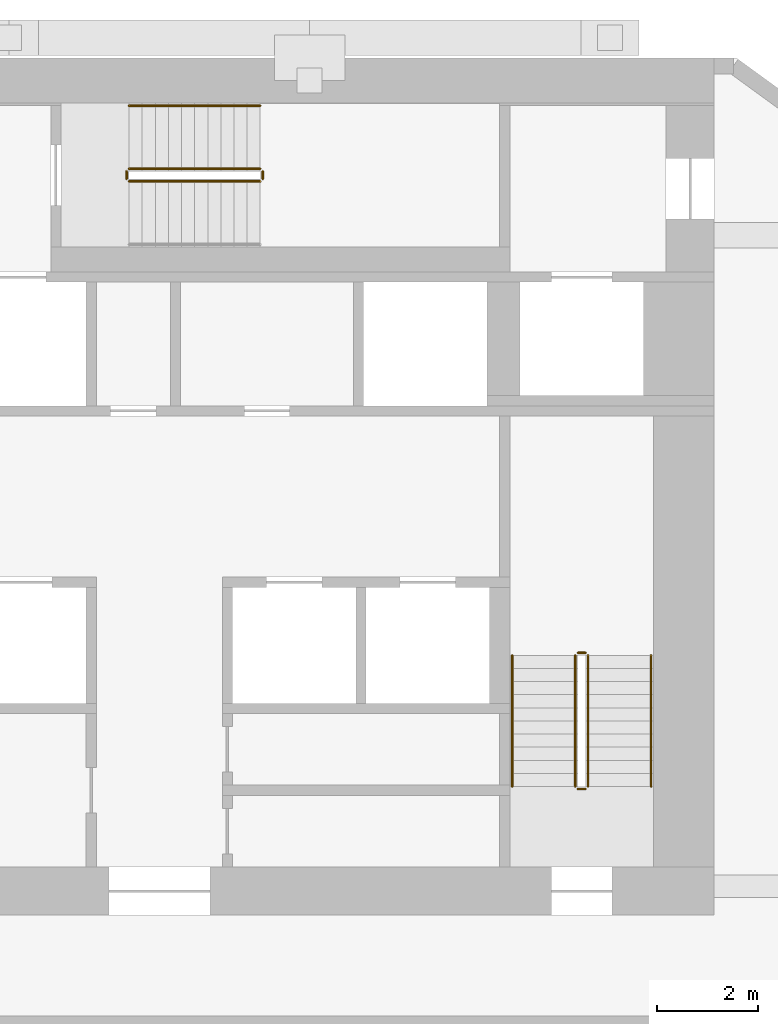
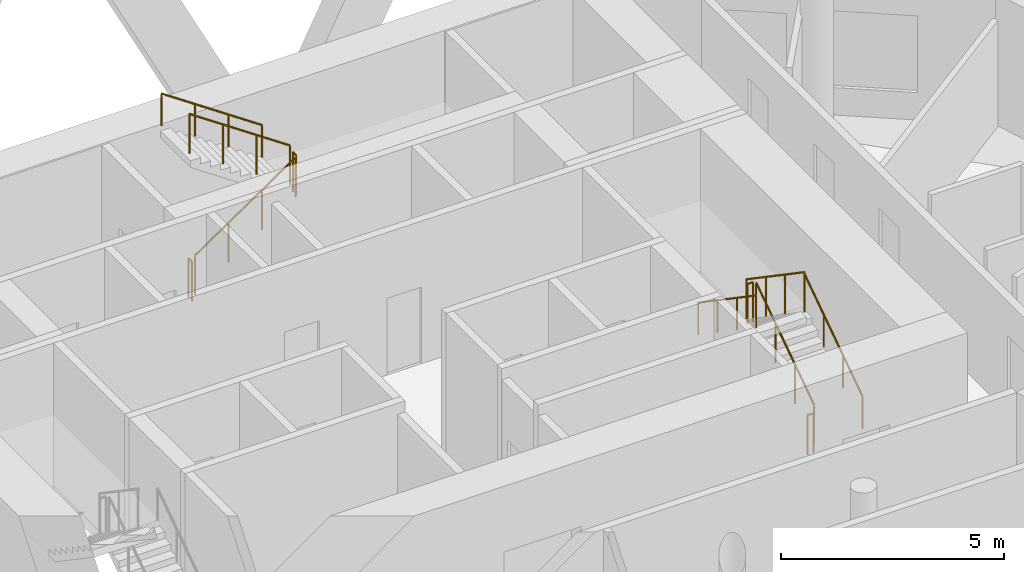
# One storey, part 10 of 10: 11 railings.
"""IFC4 building model written with IfcOpenShell, lengths in metres."""

from ifc_helpers import new_model, si_unit, direction, frame, origin, origin_2d, place, context, subcontext, project, spatial, circle, extrude, material, type_object, element, save


model = new_model("IFC4")

# Units and contexts
model_context = context("Model", 3, precision=1e-05, world=origin(), true_north=direction((0.0, 1.0)))
body_context = subcontext(model_context, "Body", "Model", "MODEL_VIEW")
ifc_project = project(units=[si_unit("LENGTHUNIT", "METRE"), si_unit("AREAUNIT", "SQUARE_METRE"), si_unit("VOLUMEUNIT", "CUBIC_METRE"), si_unit("PLANEANGLEUNIT", "RADIAN"), si_unit("MASSUNIT", "GRAM", prefix="KILO")], contexts=[model_context])

# Site, building, storey
site_placement = place(None, origin())
site = spatial("IfcSite", under=ifc_project, at=site_placement, CompositionType="ELEMENT")
building_placement = place(site_placement, origin())
building = spatial("IfcBuilding", under=site, at=building_placement, Name="White Candle Pilgrim Tower", CompositionType="ELEMENT")
storey_placement = place(building_placement, frame((0.0, 0.0, 160.300048828125)))
storey = spatial("IfcBuildingStorey", under=building, at=storey_placement, Name="L36", CompositionType="ELEMENT", Elevation=160.300048828125)

# Railings
ifc_material = material(Name="Stainless steel", Category="steel")
railing_type_1 = type_object("IfcRailingType", Name="Stair guard stainless steel 1100 mm", PredefinedType="GUARDRAIL", material=ifc_material)
railing_1_placement = place(storey_placement, frame((78.5, 73.550048828125, 0.17724609375)))
element("IfcRailing", 1, at=railing_1_placement, inside=storey, type_object=railing_type_1, Name="L36 ST2 stair guard 1", PredefinedType="GUARDRAIL", context=body_context, shape_type="SweptSolid", body=[
    extrude(circle(Radius=0.02392578125, at=origin_2d()), frame((0.0, 0.0, 1.076171875), z_axis=(0.0, 0.826215852431, 0.563353676824), x_axis=(-1.0, 0.0, 0.0)), (0.0, 0.0, 1.0), 3.146728515625),
    extrude(circle(Radius=0.02099609375, at=origin_2d()), origin(), (0.0, 0.0, 1.0), 1.052001953125),
    extrude(circle(Radius=0.02099609375, at=origin_2d()), frame((0.0, 0.86669921875, 0.5908203125)), (0.0, 0.0, 1.0), 1.052001953125),
    extrude(circle(Radius=0.02099609375, at=origin_2d()), frame((0.0, 1.733154296875, 1.181884765625)), (0.0, 0.0, 1.0), 1.052001953125),
    extrude(circle(Radius=0.02099609375, at=origin_2d()), frame((0.0, 2.599853515625, 1.772705078125)), (0.0, 0.0, 1.0), 1.052001953125),
])
railing_2_placement = place(storey_placement, frame((78.449951171875, 76.199951171875, 1.949951171875)))
element("IfcRailing", 2, at=railing_2_placement, inside=storey, type_object=railing_type_1, Name="L36 ST2 stair guard 2", PredefinedType="GUARDRAIL", context=body_context, shape_type="SweptSolid", body=[
    extrude(circle(Radius=0.02392578125, at=origin_2d()), frame((0.0, 0.0, 1.076171875), z_axis=(-1.0, 0.0, 0.0), x_axis=(0.0, -1.0, 0.0)), (0.0, 0.0, 1.0), 0.14990234375),
    extrude(circle(Radius=0.02099609375, at=origin_2d()), origin(), (0.0, 0.0, 1.0), 1.052001953125),
    extrude(circle(Radius=0.02099609375, at=origin_2d()), frame((-0.14990234375, 0.0, 0.0)), (0.0, 0.0, 1.0), 1.052001953125),
])
railing_3_placement = place(storey_placement, frame((78.25, 76.14990234375, 2.127197265625)))
element("IfcRailing", 3, at=railing_3_placement, inside=storey, type_object=railing_type_1, Name="L36 ST2 stair guard 3", PredefinedType="GUARDRAIL", context=body_context, shape_type="SweptSolid", body=[
    extrude(circle(Radius=0.02392578125, at=origin_2d()), frame((0.0, 0.0, 1.076171875), z_axis=(0.0, -0.826215852431, 0.563353676824), x_axis=(1.0, 0.0, 0.0)), (0.0, 0.0, 1.0), 3.146728515625),
    extrude(circle(Radius=0.02099609375, at=origin_2d()), origin(), (0.0, 0.0, 1.0), 1.052001953125),
    extrude(circle(Radius=0.02099609375, at=origin_2d()), frame((0.0, -0.86669921875, 0.5908203125)), (0.0, 0.0, 1.0), 1.052001953125),
    extrude(circle(Radius=0.02099609375, at=origin_2d()), frame((0.0, -1.733154296875, 1.181884765625)), (0.0, 0.0, 1.0), 1.052001953125),
    extrude(circle(Radius=0.02099609375, at=origin_2d()), frame((0.0, -2.599853515625, 1.772705078125)), (0.0, 0.0, 1.0), 1.052001953125),
])
railing_4_placement = place(storey_placement, frame((78.449951171875, 73.5, 0.0)))
element("IfcRailing", 4, at=railing_4_placement, inside=storey, type_object=railing_type_1, Name="L36 ST2 stair guard 4", PredefinedType="GUARDRAIL", context=body_context, shape_type="SweptSolid", body=[
    extrude(circle(Radius=0.02392578125, at=origin_2d()), frame((0.0, 0.0, 1.076171875), z_axis=(-1.0, 0.0, 0.0), x_axis=(0.0, -1.0, 0.0)), (0.0, 0.0, 1.0), 0.14990234375),
    extrude(circle(Radius=0.02099609375, at=origin_2d()), origin(), (0.0, 0.0, 1.0), 1.052001953125),
    extrude(circle(Radius=0.02099609375, at=origin_2d()), frame((-0.14990234375, 0.0, 0.0)), (0.0, 0.0, 1.0), 1.052001953125),
])
railing_5_placement = place(storey_placement, frame((69.39990234375, 85.550048828125, 0.17724609375)))
element("IfcRailing", 5, at=railing_5_placement, inside=storey, type_object=railing_type_1, Name="L36 ST3 stair guard 1", PredefinedType="GUARDRAIL", context=body_context, shape_type="SweptSolid", body=[
    extrude(circle(Radius=0.02392578125, at=origin_2d()), frame((0.0, 0.0, 1.076171875), z_axis=(0.826240473404, 0.0, 0.563317565952), x_axis=(0.0, 1.0, 0.0)), (0.0, 0.0, 1.0), 3.14697265625),
    extrude(circle(Radius=0.02099609375, at=origin_2d()), origin(), (0.0, 0.0, 1.0), 1.052001953125),
    extrude(circle(Radius=0.02099609375, at=origin_2d()), frame((0.86669921875, 0.0, 0.5908203125)), (0.0, 0.0, 1.0), 1.052001953125),
    extrude(circle(Radius=0.02099609375, at=origin_2d()), frame((1.7333984375, 0.0, 1.181884765625)), (0.0, 0.0, 1.0), 1.052001953125),
    extrude(circle(Radius=0.02099609375, at=origin_2d()), frame((2.60009765625, 0.0, 1.772705078125)), (0.0, 0.0, 1.0), 1.052001953125),
])
railing_6_placement = place(storey_placement, frame((72.050048828125, 85.60009765625, 1.949951171875)))
element("IfcRailing", 6, at=railing_6_placement, inside=storey, type_object=railing_type_1, Name="L36 ST3 stair guard 2", PredefinedType="GUARDRAIL", context=body_context, shape_type="SweptSolid", body=[
    extrude(circle(Radius=0.02392578125, at=origin_2d()), frame((0.0, 0.0, 1.076171875), z_axis=(0.0, 1.0, 0.0), x_axis=(-1.0, 0.0, 0.0)), (0.0, 0.0, 1.0), 0.14990234375),
    extrude(circle(Radius=0.02099609375, at=origin_2d()), origin(), (0.0, 0.0, 1.0), 1.052001953125),
    extrude(circle(Radius=0.02099609375, at=origin_2d()), frame((0.0, 0.14990234375, 0.0)), (0.0, 0.0, 1.0), 1.052001953125),
])
railing_7_placement = place(storey_placement, frame((72.0, 85.800048828125, 2.127197265625)))
element("IfcRailing", 7, at=railing_7_placement, inside=storey, type_object=railing_type_1, Name="L36 ST3 stair guard 3", PredefinedType="GUARDRAIL", context=body_context, shape_type="SweptSolid", body=[
    extrude(circle(Radius=0.02392578125, at=origin_2d()), frame((0.0, 0.0, 1.076171875), z_axis=(-0.826240473404, 0.0, 0.563317565952), x_axis=(0.0, -1.0, 0.0)), (0.0, 0.0, 1.0), 3.14697265625),
    extrude(circle(Radius=0.02099609375, at=origin_2d()), origin(), (0.0, 0.0, 1.0), 1.052001953125),
    extrude(circle(Radius=0.02099609375, at=origin_2d()), frame((-0.86669921875, 0.0, 0.5908203125)), (0.0, 0.0, 1.0), 1.052001953125),
    extrude(circle(Radius=0.02099609375, at=origin_2d()), frame((-1.7333984375, 0.0, 1.181884765625)), (0.0, 0.0, 1.0), 1.052001953125),
    extrude(circle(Radius=0.02099609375, at=origin_2d()), frame((-2.60009765625, 0.0, 1.772705078125)), (0.0, 0.0, 1.0), 1.052001953125),
])
railing_8_placement = place(storey_placement, frame((69.35009765625, 85.60009765625, 0.0)))
element("IfcRailing", 8, at=railing_8_placement, inside=storey, type_object=railing_type_1, Name="L36 ST3 stair guard 4", PredefinedType="GUARDRAIL", context=body_context, shape_type="SweptSolid", body=[
    extrude(circle(Radius=0.02392578125, at=origin_2d()), frame((0.0, 0.0, 1.076171875), z_axis=(0.0, 1.0, 0.0), x_axis=(-1.0, 0.0, 0.0)), (0.0, 0.0, 1.0), 0.14990234375),
    extrude(circle(Radius=0.02099609375, at=origin_2d()), origin(), (0.0, 0.0, 1.0), 1.052001953125),
    extrude(circle(Radius=0.02099609375, at=origin_2d()), frame((0.0, 0.14990234375, 0.0)), (0.0, 0.0, 1.0), 1.052001953125),
])
railing_type_2 = type_object("IfcRailingType", Name="Stair handrail stainless steel", PredefinedType="HANDRAIL", material=ifc_material)
railing_9_placement = place(storey_placement, frame((79.75, 73.550048828125, 0.17724609375)))
element("IfcRailing", 9, at=railing_9_placement, inside=storey, type_object=railing_type_2, Name="L36 ST2 stair handrail 1", PredefinedType="HANDRAIL", context=body_context, shape_type="SweptSolid", body=[
    extrude(circle(Radius=0.02392578125, at=origin_2d()), frame((0.0, 0.0, 0.8759765625), z_axis=(0.0, 0.826215852431, 0.563353676824), x_axis=(-1.0, 0.0, 0.0)), (0.0, 0.0, 1.0), 3.146728515625),
    extrude(circle(Radius=0.02099609375, at=origin_2d()), origin(), (0.0, 0.0, 1.0), 0.851806640625),
    extrude(circle(Radius=0.02099609375, at=origin_2d()), frame((0.0, 0.86669921875, 0.5908203125)), (0.0, 0.0, 1.0), 0.851806640625),
    extrude(circle(Radius=0.02099609375, at=origin_2d()), frame((0.0, 1.733154296875, 1.181884765625)), (0.0, 0.0, 1.0), 0.851806640625),
    extrude(circle(Radius=0.02099609375, at=origin_2d()), frame((0.0, 2.599853515625, 1.772705078125)), (0.0, 0.0, 1.0), 0.851806640625),
])
railing_10_placement = place(storey_placement, frame((77.0, 76.14990234375, 2.127197265625)))
element("IfcRailing", 10, at=railing_10_placement, inside=storey, type_object=railing_type_2, Name="L36 ST2 stair handrail 2", PredefinedType="HANDRAIL", context=body_context, shape_type="SweptSolid", body=[
    extrude(circle(Radius=0.02392578125, at=origin_2d()), frame((0.0, 0.0, 0.8759765625), z_axis=(0.0, -0.826215852431, 0.563353676824), x_axis=(1.0, 0.0, 0.0)), (0.0, 0.0, 1.0), 3.146728515625),
    extrude(circle(Radius=0.02099609375, at=origin_2d()), origin(), (0.0, 0.0, 1.0), 0.851806640625),
    extrude(circle(Radius=0.02099609375, at=origin_2d()), frame((0.0, -0.86669921875, 0.5908203125)), (0.0, 0.0, 1.0), 0.851806640625),
    extrude(circle(Radius=0.02099609375, at=origin_2d()), frame((0.0, -1.733154296875, 1.181884765625)), (0.0, 0.0, 1.0), 0.851806640625),
    extrude(circle(Radius=0.02099609375, at=origin_2d()), frame((0.0, -2.599853515625, 1.772705078125)), (0.0, 0.0, 1.0), 0.851806640625),
])
railing_11_placement = place(storey_placement, frame((72.0, 87.050048828125, 2.127197265625)))
element("IfcRailing", 11, at=railing_11_placement, inside=storey, type_object=railing_type_2, Name="L36 ST3 stair handrail 2", PredefinedType="HANDRAIL", context=body_context, shape_type="SweptSolid", body=[
    extrude(circle(Radius=0.02392578125, at=origin_2d()), frame((0.0, 0.0, 0.8759765625), z_axis=(-0.826240473404, 0.0, 0.563317565952), x_axis=(0.0, -1.0, 0.0)), (0.0, 0.0, 1.0), 3.14697265625),
    extrude(circle(Radius=0.02099609375, at=origin_2d()), origin(), (0.0, 0.0, 1.0), 0.851806640625),
    extrude(circle(Radius=0.02099609375, at=origin_2d()), frame((-0.86669921875, 0.0, 0.5908203125)), (0.0, 0.0, 1.0), 0.851806640625),
    extrude(circle(Radius=0.02099609375, at=origin_2d()), frame((-1.7333984375, 0.0, 1.181884765625)), (0.0, 0.0, 1.0), 0.851806640625),
    extrude(circle(Radius=0.02099609375, at=origin_2d()), frame((-2.60009765625, 0.0, 1.772705078125)), (0.0, 0.0, 1.0), 0.851806640625),
])

save(model, "model.ifc")
